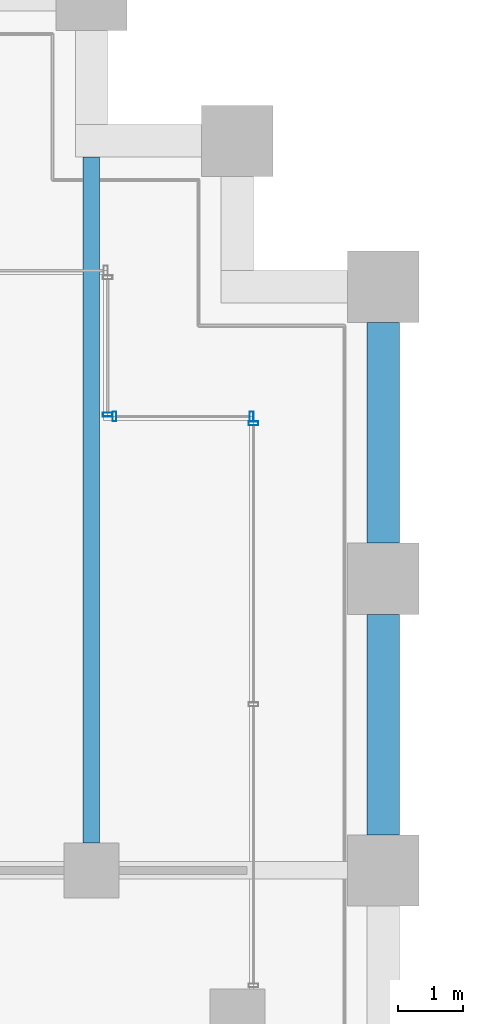
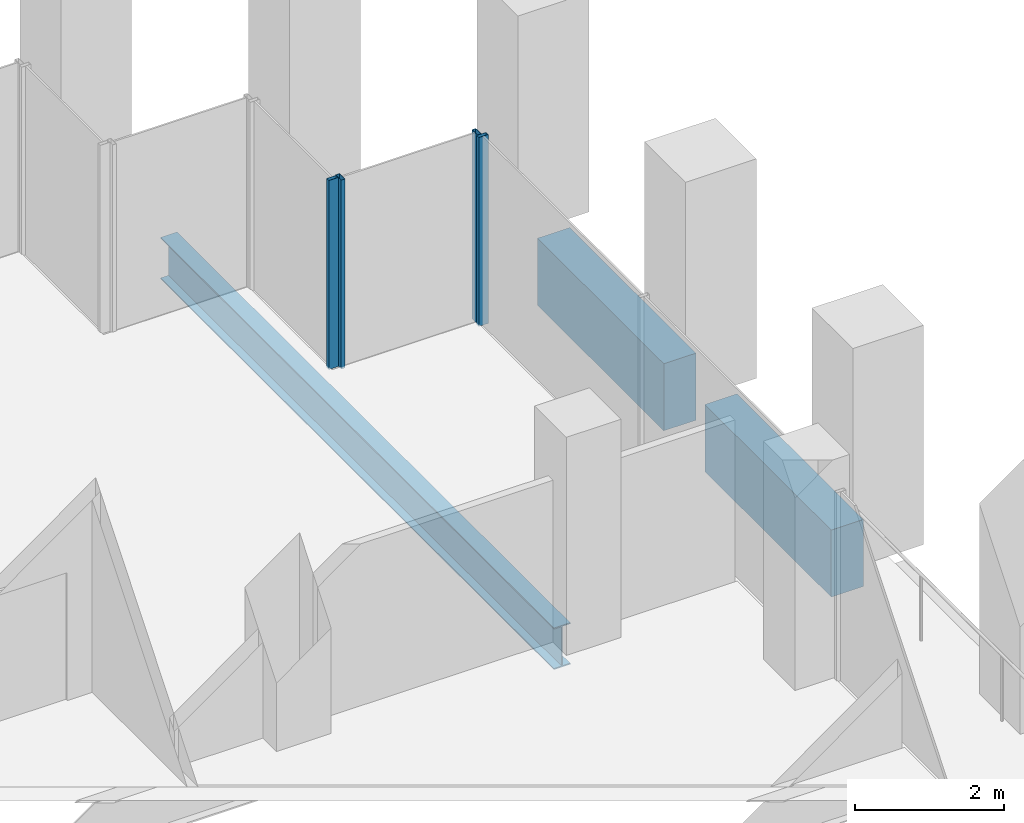
# One storey, part 31 of 56: 4 members, 3 beams, 3 elements without a shape of their own.
"""IFC4 building model written with IfcOpenShell, lengths in metres."""

from ifc_helpers import new_model, si_unit, direction, frame, origin, origin_2d, place, context, subcontext, project, spatial, rectangle, hollow_rectangle, i_section, extrude, material, material_profile, profile_set, type_object, element, aggregate, save


model = new_model("IFC4")

# Units and contexts
model_context = context("Model", 3, precision=1e-05, world=origin(), true_north=direction((0.0, 1.0)))
body_context = subcontext(model_context, "Body", "Model", "MODEL_VIEW")
ifc_project = project(units=[si_unit("LENGTHUNIT", "METRE"), si_unit("AREAUNIT", "SQUARE_METRE"), si_unit("VOLUMEUNIT", "CUBIC_METRE"), si_unit("PLANEANGLEUNIT", "RADIAN"), si_unit("MASSUNIT", "GRAM", prefix="KILO")], contexts=[model_context])

# Site, building, storey
site_placement = place(None, origin())
site = spatial("IfcSite", under=ifc_project, at=site_placement, CompositionType="ELEMENT")
building_placement = place(site_placement, origin())
building = spatial("IfcBuilding", under=site, at=building_placement, Name="Altepetl Exchange Towers", CompositionType="ELEMENT")
storey_placement = place(building_placement, frame((0.0, 0.0, 51.0)))
storey = spatial("IfcBuildingStorey", under=building, at=storey_placement, Name="L11", CompositionType="ELEMENT", Elevation=51.0)

# Beam
ifc_material_1 = material(Name="Steel S355", Category="steel")
ifc_material_profile_1 = material_profile(ifc_material_1, i_section(OverallWidth=0.25390625, OverallDepth=0.68408203125, WebThickness=0.012451171875, FlangeThickness=0.018798828125, at=origin_2d()), Name="W27X94")
ifc_profile_set_1 = profile_set([ifc_material_profile_1], Name="Steel S355")
beam_type_1 = type_object("IfcBeamType", Name="Floor beam W27X94", PredefinedType="BEAM", material=ifc_profile_set_1)
beam_placement = place(storey_placement, frame((67.5, 58.925048828125, -0.491943359375), z_axis=(0.0, 1.0, 0.0), x_axis=(-1.0, 0.0, 0.0)))
element("IfcBeam", 1, at=beam_placement, inside=storey, type_object=beam_type_1, Name="bm:A:L11:005", PredefinedType="BEAM", context=body_context, shape_type="SweptSolid", body=[
    extrude(i_section(OverallWidth=0.25390625, OverallDepth=0.68408203125, WebThickness=0.012451171875, FlangeThickness=0.018798828125, at=origin_2d()), origin(), (0.0, 0.0, 1.0), 10.574951171875),
])

# Curtain wall, member
ifc_material_2 = material(Name="Aluminium 6063-T6 glazing", Category="aluminium")
curtain_wall_type = type_object("IfcCurtainWallType", Name="Loggia glazing system", PredefinedType="NOTDEFINED", material=ifc_material_2)
curtain_wall_1_placement = place(storey_placement, origin())
curtain_wall_1 = element("IfcCurtainWall", 2, at=curtain_wall_1_placement, inside=storey, type_object=curtain_wall_type, Name="CW1 run", PredefinedType="NOTDEFINED")
ifc_material_3 = material(Name="Aluminium 6063-T6", Category="aluminium")
ifc_material_profile_2 = material_profile(ifc_material_3, hollow_rectangle(XDim=0.06005859375, YDim=0.14990234375, WallThickness=0.0029296875, at=origin_2d()), Name="Mullion 60x150 aluminium")
ifc_profile_set_2 = profile_set([ifc_material_profile_2], Name="Aluminium 6063-T6")
member_type = type_object("IfcMemberType", Name="Mullion 60x150 aluminium", PredefinedType="MULLION", material=ifc_profile_set_2)
member_1_placement = place(storey_placement, frame((70.0, 65.39501953125, 0.0), z_axis=(0.0, 0.0, 1.0), x_axis=(0.0, 1.0, 0.0)))
member_1 = element("IfcMember", 3, at=member_1_placement, type_object=member_type, Name="MU1 mullion", PredefinedType="MULLION", context=body_context, shape_type="SweptSolid", body=[
    extrude(hollow_rectangle(XDim=0.06005859375, YDim=0.14990234375, WallThickness=0.0029296875, at=origin_2d()), origin(), (0.0, 0.0, 1.0), 3.10009765625),
])
aggregate(curtain_wall_1, [member_1])

# Curtain wall, members
curtain_wall_2_placement = place(storey_placement, origin())
curtain_wall_2 = element("IfcCurtainWall", 4, at=curtain_wall_2_placement, inside=storey, type_object=curtain_wall_type, Name="CW1 run", PredefinedType="NOTDEFINED")
member_2_placement = place(storey_placement, frame((69.969970703125, 65.5, 0.0), z_axis=(0.0, 0.0, 1.0), x_axis=(-1.0, 0.0, 0.0)))
member_2 = element("IfcMember", 5, at=member_2_placement, type_object=member_type, Name="MU1 mullion", PredefinedType="MULLION", context=body_context, shape_type="SweptSolid", body=[
    extrude(hollow_rectangle(XDim=0.06005859375, YDim=0.14990234375, WallThickness=0.0029296875, at=origin_2d()), origin(), (0.0, 0.0, 1.0), 3.10009765625),
])
member_3_placement = place(storey_placement, frame((67.85498046875, 65.5, 0.0), z_axis=(0.0, 0.0, 1.0), x_axis=(-1.0, 0.0, 0.0)))
member_3 = element("IfcMember", 6, at=member_3_placement, type_object=member_type, Name="MU1 mullion", PredefinedType="MULLION", context=body_context, shape_type="SweptSolid", body=[
    extrude(hollow_rectangle(XDim=0.06005859375, YDim=0.14990234375, WallThickness=0.0029296875, at=origin_2d()), origin(), (0.0, 0.0, 1.0), 3.10009765625),
])
aggregate(curtain_wall_2, [member_2, member_3])

# Curtain wall, member
curtain_wall_3_placement = place(storey_placement, origin())
curtain_wall_3 = element("IfcCurtainWall", 7, at=curtain_wall_3_placement, inside=storey, type_object=curtain_wall_type, Name="CW1 run", PredefinedType="NOTDEFINED")
member_4_placement = place(storey_placement, frame((67.75, 65.530029296875, 0.0), z_axis=(0.0, 0.0, 1.0), x_axis=(0.0, 1.0, 0.0)))
member_4 = element("IfcMember", 8, at=member_4_placement, type_object=member_type, Name="MU1 mullion", PredefinedType="MULLION", context=body_context, shape_type="SweptSolid", body=[
    extrude(hollow_rectangle(XDim=0.06005859375, YDim=0.14990234375, WallThickness=0.0029296875, at=origin_2d()), origin(), (0.0, 0.0, 1.0), 3.10009765625),
])
aggregate(curtain_wall_3, [member_4])

# Beams
ifc_material_4 = material(Name="Concrete C50/60 precast with cantera rosa facing", Category="concrete")
ifc_material_profile_3 = material_profile(ifc_material_4, rectangle(XDim=0.5, YDim=1.10009765625, at=origin_2d()), Name="500 x 1100")
ifc_profile_set_3 = profile_set([ifc_material_profile_3], Name="Concrete C50/60 precast with cantera rosa facing")
beam_type_2 = type_object("IfcBeamType", Name="Spandrel beam 500x1100 cantera rosa", PredefinedType="SPANDREL", material=ifc_profile_set_3)
for number, where, z_axis, x_axis, name in (
    (9, (72.0, 59.050048828125, -0.699951171875), (0.0, 1.0, 0.0), (-1.0, 0.0, 0.0), "sp:A:L11:018"),
    (10, (72.0, 63.550048828125, -0.699951171875), (0.0, 1.0, 0.0), (-1.0, 0.0, 0.0), "sp:A:L11:019"),
):
    element("IfcBeam", number, at=place(storey_placement, frame(where, z_axis=z_axis, x_axis=x_axis)), inside=storey, type_object=beam_type_2, Name=name, PredefinedType="SPANDREL", context=body_context, shape_type="SweptSolid", body=[
        extrude(rectangle(XDim=0.5, YDim=1.10009765625, at=origin_2d()), origin(), (0.0, 0.0, 1.0), 3.39990234375),
    ])

save(model, "model.ifc")
